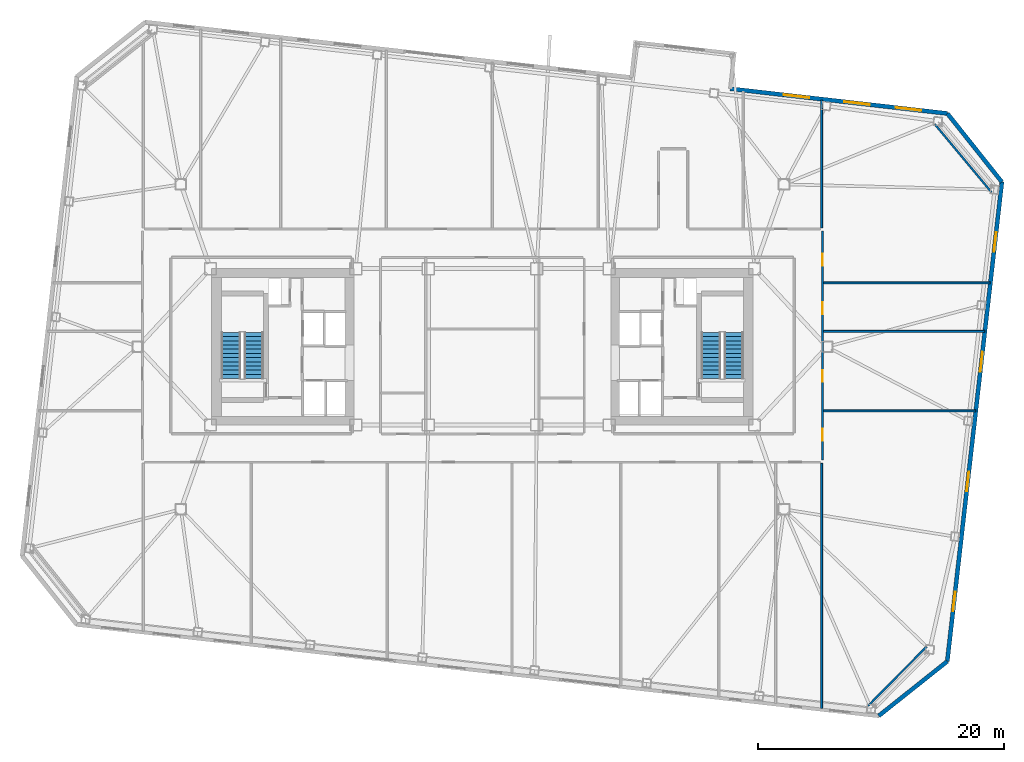
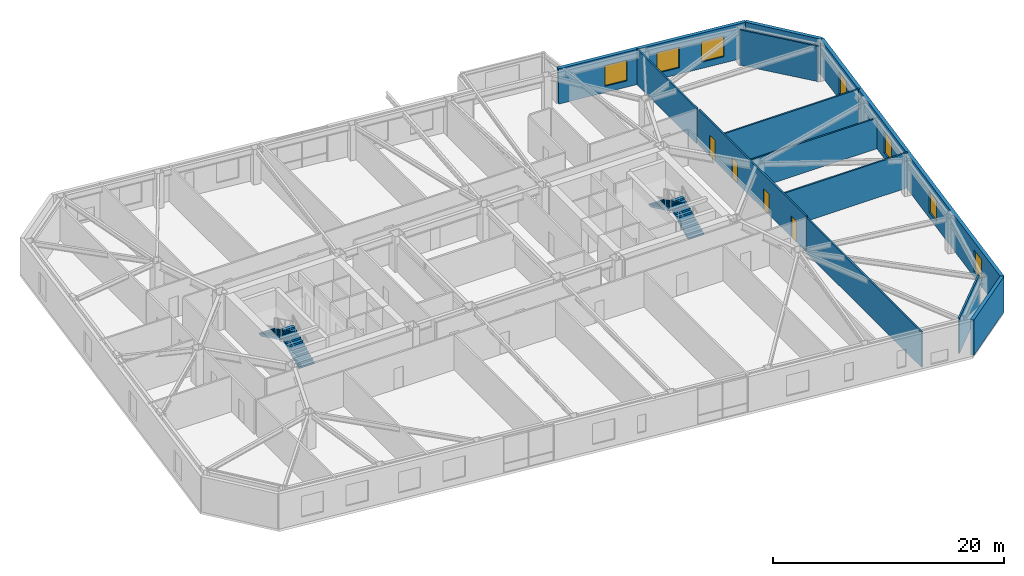
# One storey, part 16 of 21: 12 walls, 7 windows, 4 doors, 4 stair flights, 11 openings, 2 elements without a shape of their own.
"""IFC4 building model written with IfcOpenShell, lengths in metres."""

from ifc_helpers import new_model, si_unit, direction, frame, frame_2d, origin, place, context, subcontext, project, spatial, polyline, rectangle, outline, extrude, material, layer, layer_set, type_object, element, fill, aggregate, save


model = new_model("IFC4")

# Units and contexts
model_context = context("Model", 3, precision=1e-05, world=origin(), true_north=direction((0.0, 1.0)))
body_context = subcontext(model_context, "Body", "Model", "MODEL_VIEW")
ifc_project = project(units=[si_unit("LENGTHUNIT", "METRE"), si_unit("AREAUNIT", "SQUARE_METRE"), si_unit("VOLUMEUNIT", "CUBIC_METRE"), si_unit("PLANEANGLEUNIT", "RADIAN"), si_unit("MASSUNIT", "GRAM", prefix="KILO")], contexts=[model_context])

# Site, building, storey
site_placement = place(None, origin())
site = spatial("IfcSite", under=ifc_project, at=site_placement, CompositionType="ELEMENT")
building_placement = place(site_placement, origin())
building = spatial("IfcBuilding", under=site, at=building_placement, Name="Tavrogorsk Clinical Tower", CompositionType="ELEMENT")
storey_placement = place(building_placement, frame((0.0, 0.0, 121.39990234375)))
storey = spatial("IfcBuildingStorey", under=building, at=storey_placement, Name="L27", CompositionType="ELEMENT", Elevation=121.39990234375)

# Walls
ifc_material_1 = material(Name="Lightweight concrete blockwork B15", Category="masonry")
ifc_layer_1 = layer(ifc_material_1, 0.159912109375)
ifc_layer_set_1 = layer_set([ifc_layer_1], Name="Lightweight concrete blockwork B15")
wall_type_1 = type_object("IfcWallType", Name="PartitionWall_160", PredefinedType="PARTITIONING", material=ifc_layer_set_1)
wall_1_placement = place(storey_placement, frame((31.34130859375, -29.162109375, 0.0), z_axis=(0.0, 0.0, 1.0), x_axis=(0.702905898933, 0.711282853192, 0.0)))
element("IfcWall", 1, at=wall_1_placement, inside=storey, type_object=wall_type_1, Name="L27 Corner Exoskeleton Brace Furring Wall 1", PredefinedType="PARTITIONING", context=body_context, shape_type="SweptSolid", body=[
    extrude(rectangle(XDim=6.761474609375, YDim=0.159912109375, at=frame_2d((3.380859375, 0.0))), origin(), (0.0, 0.0, 1.0), 3.739990234375),
])
wall_2_placement = place(storey_placement, frame((41.36083984375, 12.555908203125, 0.0), z_axis=(0.0, 0.0, 1.0), x_axis=(-0.640217638562, 0.768193579298, 0.0)))
element("IfcWall", 2, at=wall_2_placement, inside=storey, type_object=wall_type_1, Name="L27 Corner Exoskeleton Brace Furring Wall 2", PredefinedType="PARTITIONING", context=body_context, shape_type="SweptSolid", body=[
    extrude(rectangle(XDim=7.224365234375, YDim=0.159912109375, at=frame_2d((3.6123046875, 0.0))), origin(), (0.0, 0.0, 1.0), 3.739990234375),
])

# Wall, openings, doors
wall_3_placement = place(storey_placement, frame((27.6298828125, 9.4150390625, 0.0), z_axis=(0.0, 0.0, 1.0), x_axis=(0.0, -1.0, 0.0)))
wall_3 = element("IfcWall", 3, at=wall_3_placement, inside=storey, type_object=wall_type_1, Name="L27 Corridor Partition 07", PredefinedType="PARTITIONING", context=body_context, shape_type="SweptSolid", body=[
    extrude(rectangle(XDim=18.630126953125, YDim=0.159912109375, at=frame_2d((9.31494140625, 0.0))), origin(), (0.0, 0.0, 1.0), 3.739990234375),
])
opening_1_placement = place(wall_3_placement, frame((16.080810546875, 0.0, 0.0)))
opening_1 = element("IfcOpeningElement", 4, at=opening_1_placement, cuts=wall_3, Name="Opening ID-02", PredefinedType="OPENING", context=body_context, shape_type="SweptSolid", body=[
    extrude(rectangle(XDim=0.949951171875, YDim=2.199951171875, at=frame_2d((0.47509765625, 1.10009765625))), frame((0.0, 0.08984375, 0.0), z_axis=(0.0, -1.0, 0.0), x_axis=(1.0, 0.0, 0.0)), (0.0, 0.0, 1.0), 0.179931640625),
])
opening_2_placement = place(wall_3_placement, frame((11.300048828125, 0.0, 0.0)))
opening_2 = element("IfcOpeningElement", 5, at=opening_2_placement, cuts=wall_3, Name="Opening ID-02", PredefinedType="OPENING", context=body_context, shape_type="SweptSolid", body=[
    extrude(rectangle(XDim=0.949951171875, YDim=2.199951171875, at=frame_2d((0.47509765625, 1.10009765625))), frame((0.0, 0.08984375, 0.0), z_axis=(0.0, -1.0, 0.0), x_axis=(1.0, 0.0, 0.0)), (0.0, 0.0, 1.0), 0.179931640625),
])
opening_3_placement = place(wall_3_placement, frame((5.800048828125, 0.0, 0.0)))
opening_3 = element("IfcOpeningElement", 6, at=opening_3_placement, cuts=wall_3, Name="Opening ID-02", PredefinedType="OPENING", context=body_context, shape_type="SweptSolid", body=[
    extrude(rectangle(XDim=0.949951171875, YDim=2.199951171875, at=frame_2d((0.47509765625, 1.10009765625))), frame((0.0, 0.08984375, 0.0), z_axis=(0.0, -1.0, 0.0), x_axis=(1.0, 0.0, 0.0)), (0.0, 0.0, 1.0), 0.179931640625),
])
opening_4_placement = place(wall_3_placement, frame((1.869140625, 0.0, 0.0)))
opening_4 = element("IfcOpeningElement", 7, at=opening_4_placement, cuts=wall_3, Name="Opening ID-02", PredefinedType="OPENING", context=body_context, shape_type="SweptSolid", body=[
    extrude(rectangle(XDim=0.949951171875, YDim=2.199951171875, at=frame_2d((0.47509765625, 1.10009765625))), frame((0.0, 0.08984375, 0.0), z_axis=(0.0, -1.0, 0.0), x_axis=(1.0, 0.0, 0.0)), (0.0, 0.0, 1.0), 0.179931640625),
])
ifc_material_2 = material(Name="Laminated timber leaf on aluminium frame", Category="wood")
door_type = type_object("IfcDoorType", Name="InteriorDoor_ID02_950", OperationType="NOTDEFINED", PredefinedType="DOOR", material=ifc_material_2)
door_1_placement = place(opening_1_placement, origin())
door_1 = element("IfcDoor", 8, at=door_1_placement, inside=storey, type_object=door_type, Name="L27 E Senior Clinician Suite 1 Door", OperationType="SINGLE_SWING_LEFT", OverallHeight=2.199951171875, OverallWidth=0.949951171875, PredefinedType="DOOR", context=body_context, shape_type="SweptSolid", body=[
    extrude(rectangle(XDim=0.949951171875, YDim=2.199951171875, at=frame_2d((0.47509765625, 1.10009765625))), frame((0.0, 0.02490234375, 0.0), z_axis=(0.0, -1.0, 0.0), x_axis=(1.0, 0.0, 0.0)), (0.0, 0.0, 1.0), 0.050048828125),
])
fill(opening_1, door_1)
door_2_placement = place(opening_2_placement, origin())
door_2 = element("IfcDoor", 9, at=door_2_placement, inside=storey, type_object=door_type, Name="L27 E Multidisciplinary Seminar Suite 2 Door", OperationType="SINGLE_SWING_RIGHT", OverallHeight=2.199951171875, OverallWidth=0.949951171875, PredefinedType="DOOR", context=body_context, shape_type="SweptSolid", body=[
    extrude(rectangle(XDim=0.949951171875, YDim=2.199951171875, at=frame_2d((0.47509765625, 1.10009765625))), frame((0.0, 0.02490234375, 0.0), z_axis=(0.0, -1.0, 0.0), x_axis=(1.0, 0.0, 0.0)), (0.0, 0.0, 1.0), 0.050048828125),
])
fill(opening_2, door_2)
door_3_placement = place(opening_3_placement, origin())
door_3 = element("IfcDoor", 10, at=door_3_placement, inside=storey, type_object=door_type, Name="L27 E Specialist Consultation Room 3 Door", OperationType="SINGLE_SWING_LEFT", OverallHeight=2.199951171875, OverallWidth=0.949951171875, PredefinedType="DOOR", context=body_context, shape_type="SweptSolid", body=[
    extrude(rectangle(XDim=0.949951171875, YDim=2.199951171875, at=frame_2d((0.47509765625, 1.10009765625))), frame((0.0, 0.02490234375, 0.0), z_axis=(0.0, -1.0, 0.0), x_axis=(1.0, 0.0, 0.0)), (0.0, 0.0, 1.0), 0.050048828125),
])
fill(opening_3, door_3)
door_4_placement = place(opening_4_placement, origin())
door_4 = element("IfcDoor", 11, at=door_4_placement, inside=storey, type_object=door_type, Name="L27 E Clinical Fellows' Study 4 Door", OperationType="SINGLE_SWING_RIGHT", OverallHeight=2.199951171875, OverallWidth=0.949951171875, PredefinedType="DOOR", context=body_context, shape_type="SweptSolid", body=[
    extrude(rectangle(XDim=0.949951171875, YDim=2.199951171875, at=frame_2d((0.47509765625, 1.10009765625))), frame((0.0, 0.02490234375, 0.0), z_axis=(0.0, -1.0, 0.0), x_axis=(1.0, 0.0, 0.0)), (0.0, 0.0, 1.0), 0.050048828125),
])
fill(opening_4, door_4)

# Walls
wall_4_placement = place(storey_placement, frame((27.550048828125, 9.6650390625, 0.0), z_axis=(0.0, 0.0, 1.0), x_axis=(0.0, 1.0, 0.0)))
element("IfcWall", 12, at=wall_4_placement, inside=storey, type_object=wall_type_1, Name="L27 NE Wing Closure Partition", PredefinedType="PARTITIONING", context=body_context, shape_type="SweptSolid", body=[
    extrude(rectangle(XDim=10.388427734375, YDim=0.159912109375, at=frame_2d((5.1943359375, 0.0))), origin(), (0.0, 0.0, 1.0), 3.739990234375),
])
wall_5_placement = place(storey_placement, frame((27.550048828125, -29.384521484375, 0.0), z_axis=(0.0, 0.0, 1.0), x_axis=(0.0, 1.0, 0.0)))
element("IfcWall", 13, at=wall_5_placement, inside=storey, type_object=wall_type_1, Name="L27 SE Wing Closure Partition", PredefinedType="PARTITIONING", context=body_context, shape_type="SweptSolid", body=[
    extrude(rectangle(XDim=19.91943359375, YDim=0.159912109375, at=frame_2d((9.959716796875, 0.0))), origin(), (0.0, 0.0, 1.0), 3.739990234375),
])
wall_6_placement = place(storey_placement, frame((27.715087890625, -5.199951171875, 0.0), z_axis=(0.0, 0.0, 1.0), x_axis=(1.0, 0.0, 0.0)))
element("IfcWall", 14, at=wall_6_placement, inside=storey, type_object=wall_type_1, Name="L27 E Wing Divider 1", PredefinedType="PARTITIONING", context=body_context, shape_type="SweptSolid", body=[
    extrude(rectangle(XDim=12.35205078125, YDim=0.159912109375, at=frame_2d((6.176025390625, 0.0))), origin(), (0.0, 0.0, 1.0), 3.739990234375),
])
wall_7_placement = place(storey_placement, frame((27.715087890625, 1.25, 0.0), z_axis=(0.0, 0.0, 1.0), x_axis=(1.0, 0.0, 0.0)))
element("IfcWall", 15, at=wall_7_placement, inside=storey, type_object=wall_type_1, Name="L27 E Wing Divider 2", PredefinedType="PARTITIONING", context=body_context, shape_type="SweptSolid", body=[
    extrude(rectangle(XDim=13.0869140625, YDim=0.159912109375, at=frame_2d((6.54345703125, 0.0))), origin(), (0.0, 0.0, 1.0), 3.235107421875),
])
wall_8_placement = place(storey_placement, frame((27.715087890625, 5.199951171875, 0.0), z_axis=(0.0, 0.0, 1.0), x_axis=(1.0, 0.0, 0.0)))
element("IfcWall", 16, at=wall_8_placement, inside=storey, type_object=wall_type_1, Name="L27 E Wing Divider 3", PredefinedType="PARTITIONING", context=body_context, shape_type="SweptSolid", body=[
    extrude(rectangle(XDim=13.537109375, YDim=0.159912109375, at=frame_2d((6.7685546875, 0.0))), origin(), (0.0, 0.0, 1.0), 3.739990234375),
])

# Wall, openings, windows
ifc_material_3 = material(Name="Precast concrete B45 with limestone cladding", Category="masonry")
ifc_layer_2 = layer(ifc_material_3, 0.340087890625)
ifc_layer_set_2 = layer_set([ifc_layer_2], Name="Precast concrete B45 with limestone cladding")
wall_type_2 = type_object("IfcWallType", Name="PrecastLimestoneWall_340", PredefinedType="STANDARD", material=ifc_layer_set_2)
wall_9_placement = place(storey_placement, frame((37.77734375, 18.95849609375, 0.0), z_axis=(0.0, 0.0, 1.0), x_axis=(-0.993570699365, 0.113213362125, 0.0)))
wall_9 = element("IfcWall", 17, at=wall_9_placement, inside=storey, type_object=wall_type_2, Name="L27 N Limestone Facade Wall 1", PredefinedType="STANDARD", context=body_context, shape_type="SweptSolid", body=[
    extrude(rectangle(XDim=17.749755859375, YDim=0.340087890625, at=frame_2d((8.875, 0.0))), origin(), (0.0, 0.0, 1.0), 3.739990234375),
])
opening_5_placement = place(wall_9_placement, frame((11.284912109375, 0.0, 0.669921875)))
opening_5 = element("IfcOpeningElement", 18, at=opening_5_placement, cuts=wall_9, Name="Opening WN-03", PredefinedType="OPENING", context=body_context, shape_type="SweptSolid", body=[
    extrude(rectangle(XDim=2.10009765625, YDim=2.199951171875, at=frame_2d((1.050048828125, 1.10009765625))), frame((0.0, 0.179931640625, 0.0), z_axis=(0.0, -1.0, 0.0), x_axis=(1.0, 0.0, 0.0)), (0.0, 0.0, 1.0), 0.360107421875),
])
opening_6_placement = place(wall_9_placement, frame((6.335693359375, 0.0, 0.669921875)))
opening_6 = element("IfcOpeningElement", 19, at=opening_6_placement, cuts=wall_9, Name="Opening WN-03", PredefinedType="OPENING", context=body_context, shape_type="SweptSolid", body=[
    extrude(rectangle(XDim=2.10009765625, YDim=2.199951171875, at=frame_2d((1.050048828125, 1.10009765625))), frame((0.0, 0.179931640625, 0.0), z_axis=(0.0, -1.0, 0.0), x_axis=(1.0, 0.0, 0.0)), (0.0, 0.0, 1.0), 0.360107421875),
])
opening_7_placement = place(wall_9_placement, frame((2.125244140625, 0.0, 0.669921875)))
opening_7 = element("IfcOpeningElement", 20, at=opening_7_placement, cuts=wall_9, Name="Opening WN-03", PredefinedType="OPENING", context=body_context, shape_type="SweptSolid", body=[
    extrude(rectangle(XDim=2.10009765625, YDim=2.199951171875, at=frame_2d((1.050048828125, 1.10009765625))), frame((0.0, 0.179931640625, 0.0), z_axis=(0.0, -1.0, 0.0), x_axis=(1.0, 0.0, 0.0)), (0.0, 0.0, 1.0), 0.360107421875),
])
ifc_material_4 = material(Name="Thermally broken aluminium frame and triple IGU", Category="aluminium")
window_type_1 = type_object("IfcWindowType", Name="PatientTwinWin_2100x2200", PartitioningType="DOUBLE_PANEL_VERTICAL", PredefinedType="WINDOW", material=ifc_material_4)
window_1_placement = place(opening_5_placement, origin())
window_1 = element("IfcWindow", 21, at=window_1_placement, inside=storey, type_object=window_type_1, Name="L27 N Chicago Window 08", OverallHeight=2.199951171875, OverallWidth=2.10009765625, PartitioningType="SINGLE_PANEL", PredefinedType="WINDOW", context=body_context, shape_type="SweptSolid", body=[
    extrude(rectangle(XDim=2.10009765625, YDim=2.199951171875, at=frame_2d((1.050048828125, 1.10009765625))), frame((0.0, 0.030029296875, 0.0), z_axis=(0.0, -1.0, 0.0), x_axis=(1.0, 0.0, 0.0)), (0.0, 0.0, 1.0), 0.06005859375),
])
fill(opening_5, window_1)
window_2_placement = place(opening_6_placement, origin())
window_2 = element("IfcWindow", 22, at=window_2_placement, inside=storey, type_object=window_type_1, Name="L27 N Chicago Window 09", OverallHeight=2.199951171875, OverallWidth=2.10009765625, PartitioningType="SINGLE_PANEL", PredefinedType="WINDOW", context=body_context, shape_type="SweptSolid", body=[
    extrude(rectangle(XDim=2.10009765625, YDim=2.199951171875, at=frame_2d((1.050048828125, 1.10009765625))), frame((0.0, 0.030029296875, 0.0), z_axis=(0.0, -1.0, 0.0), x_axis=(1.0, 0.0, 0.0)), (0.0, 0.0, 1.0), 0.06005859375),
])
fill(opening_6, window_2)
window_3_placement = place(opening_7_placement, origin())
window_3 = element("IfcWindow", 23, at=window_3_placement, inside=storey, type_object=window_type_1, Name="L27 N Chicago Window 10", OverallHeight=2.199951171875, OverallWidth=2.10009765625, PartitioningType="SINGLE_PANEL", PredefinedType="WINDOW", context=body_context, shape_type="SweptSolid", body=[
    extrude(rectangle(XDim=2.10009765625, YDim=2.199951171875, at=frame_2d((1.050048828125, 1.10009765625))), frame((0.0, 0.030029296875, 0.0), z_axis=(0.0, -1.0, 0.0), x_axis=(1.0, 0.0, 0.0)), (0.0, 0.0, 1.0), 0.06005859375),
])
fill(opening_7, window_3)

wall_10_placement = place(storey_placement, frame((37.76806640625, -25.556396484375, 0.0), z_axis=(0.0, 0.0, 1.0), x_axis=(0.113201605824, 0.993572038877, 0.0)))
wall_10 = element("IfcWall", 24, at=wall_10_placement, inside=storey, type_object=wall_type_2, Name="L27 E Pleated Limestone Wing Wall", PredefinedType="STANDARD", context=body_context, shape_type="SweptSolid", body=[
    extrude(rectangle(XDim=39.199951171875, YDim=0.340087890625, at=frame_2d((19.60009765625, 0.0))), origin(), (0.0, 0.0, 1.0), 3.739990234375),
])
opening_8_placement = place(wall_10_placement, frame((4.10009765625, 0.0, 0.580078125)))
opening_8 = element("IfcOpeningElement", 25, at=opening_8_placement, cuts=wall_10, Name="Opening WN-07", PredefinedType="OPENING", context=body_context, shape_type="SweptSolid", body=[
    extrude(rectangle(XDim=1.60009765625, YDim=2.300048828125, at=frame_2d((0.800048828125, 1.14990234375))), frame((0.0, 0.179931640625, 0.0), z_axis=(0.0, -1.0, 0.0), x_axis=(1.0, 0.0, 0.0)), (0.0, 0.0, 1.0), 0.360107421875),
])
opening_9_placement = place(wall_10_placement, frame((13.89990234375, 0.0, 0.580078125)))
opening_9 = element("IfcOpeningElement", 26, at=opening_9_placement, cuts=wall_10, Name="Opening WN-07", PredefinedType="OPENING", context=body_context, shape_type="SweptSolid", body=[
    extrude(rectangle(XDim=1.60009765625, YDim=2.300048828125, at=frame_2d((0.800048828125, 1.14990234375))), frame((0.0, 0.179931640625, 0.0), z_axis=(0.0, -1.0, 0.0), x_axis=(1.0, 0.0, 0.0)), (0.0, 0.0, 1.0), 0.360107421875),
])
opening_10_placement = place(wall_10_placement, frame((23.699951171875, 0.0, 0.580078125)))
opening_10 = element("IfcOpeningElement", 27, at=opening_10_placement, cuts=wall_10, Name="Opening WN-07", PredefinedType="OPENING", context=body_context, shape_type="SweptSolid", body=[
    extrude(rectangle(XDim=1.60009765625, YDim=2.300048828125, at=frame_2d((0.800048828125, 1.14990234375))), frame((0.0, 0.179931640625, 0.0), z_axis=(0.0, -1.0, 0.0), x_axis=(1.0, 0.0, 0.0)), (0.0, 0.0, 1.0), 0.360107421875),
])
opening_11_placement = place(wall_10_placement, frame((33.5, 0.0, 0.580078125)))
opening_11 = element("IfcOpeningElement", 28, at=opening_11_placement, cuts=wall_10, Name="Opening WN-07", PredefinedType="OPENING", context=body_context, shape_type="SweptSolid", body=[
    extrude(rectangle(XDim=1.60009765625, YDim=2.300048828125, at=frame_2d((0.800048828125, 1.14990234375))), frame((0.0, 0.179931640625, 0.0), z_axis=(0.0, -1.0, 0.0), x_axis=(1.0, 0.0, 0.0)), (0.0, 0.0, 1.0), 0.360107421875),
])
ifc_material_5 = material(Name="Thermally broken aluminium frame and triple IGU", Category="aluminium")
window_type_2 = type_object("IfcWindowType", Name="PleatSlotWin_1600x2300", PartitioningType="SINGLE_PANEL", PredefinedType="WINDOW", material=ifc_material_5)
window_4_placement = place(opening_8_placement, origin())
window_4 = element("IfcWindow", 29, at=window_4_placement, inside=storey, type_object=window_type_2, Name="L27 E Pleat Slot Window 1", OverallHeight=2.300048828125, OverallWidth=1.60009765625, PartitioningType="SINGLE_PANEL", PredefinedType="WINDOW", context=body_context, shape_type="SweptSolid", body=[
    extrude(rectangle(XDim=1.60009765625, YDim=2.300048828125, at=frame_2d((0.800048828125, 1.14990234375))), frame((0.0, 0.030029296875, 0.0), z_axis=(0.0, -1.0, 0.0), x_axis=(1.0, 0.0, 0.0)), (0.0, 0.0, 1.0), 0.06005859375),
])
fill(opening_8, window_4)
window_5_placement = place(opening_9_placement, origin())
window_5 = element("IfcWindow", 30, at=window_5_placement, inside=storey, type_object=window_type_2, Name="L27 E Pleat Slot Window 2", OverallHeight=2.300048828125, OverallWidth=1.60009765625, PartitioningType="SINGLE_PANEL", PredefinedType="WINDOW", context=body_context, shape_type="SweptSolid", body=[
    extrude(rectangle(XDim=1.60009765625, YDim=2.300048828125, at=frame_2d((0.800048828125, 1.14990234375))), frame((0.0, 0.030029296875, 0.0), z_axis=(0.0, -1.0, 0.0), x_axis=(1.0, 0.0, 0.0)), (0.0, 0.0, 1.0), 0.06005859375),
])
fill(opening_9, window_5)
window_6_placement = place(opening_10_placement, origin())
window_6 = element("IfcWindow", 31, at=window_6_placement, inside=storey, type_object=window_type_2, Name="L27 E Pleat Slot Window 3", OverallHeight=2.300048828125, OverallWidth=1.60009765625, PartitioningType="SINGLE_PANEL", PredefinedType="WINDOW", context=body_context, shape_type="SweptSolid", body=[
    extrude(rectangle(XDim=1.60009765625, YDim=2.300048828125, at=frame_2d((0.800048828125, 1.14990234375))), frame((0.0, 0.030029296875, 0.0), z_axis=(0.0, -1.0, 0.0), x_axis=(1.0, 0.0, 0.0)), (0.0, 0.0, 1.0), 0.06005859375),
])
fill(opening_10, window_6)
window_7_placement = place(opening_11_placement, origin())
window_7 = element("IfcWindow", 32, at=window_7_placement, inside=storey, type_object=window_type_2, Name="L27 E Pleat Slot Window 4", OverallHeight=2.300048828125, OverallWidth=1.60009765625, PartitioningType="SINGLE_PANEL", PredefinedType="WINDOW", context=body_context, shape_type="SweptSolid", body=[
    extrude(rectangle(XDim=1.60009765625, YDim=2.300048828125, at=frame_2d((0.800048828125, 1.14990234375))), frame((0.0, 0.030029296875, 0.0), z_axis=(0.0, -1.0, 0.0), x_axis=(1.0, 0.0, 0.0)), (0.0, 0.0, 1.0), 0.06005859375),
])
fill(opening_11, window_7)

# Walls
wall_11_placement = place(storey_placement, frame((32.200927734375, -29.984619140625, 0.0), z_axis=(0.0, 0.0, 1.0), x_axis=(0.78261359446, 0.622507800567, 0.0)))
element("IfcWall", 33, at=wall_11_placement, inside=storey, type_object=wall_type_2, Name="L27 Chamfered Corner Wall 1", PredefinedType="STANDARD", context=body_context, shape_type="SweptSolid", body=[
    extrude(rectangle(XDim=7.113525390625, YDim=0.340087890625, at=frame_2d((3.556640625, 0.0))), origin(), (0.0, 0.0, 1.0), 3.739990234375),
])
wall_12_placement = place(storey_placement, frame((42.20556640625, 13.3916015625, 0.0), z_axis=(0.0, 0.0, 1.0), x_axis=(-0.622524521309, 0.782600294128, 0.0)))
element("IfcWall", 34, at=wall_12_placement, inside=storey, type_object=wall_type_2, Name="L27 Chamfered Corner Wall 2", PredefinedType="STANDARD", context=body_context, shape_type="SweptSolid", body=[
    extrude(rectangle(XDim=7.11328125, YDim=0.340087890625, at=frame_2d((3.556640625, 0.0))), origin(), (0.0, 0.0, 1.0), 3.739990234375),
])

# Stair, stair flights
ifc_material_6 = material(Name="Concrete B60", Category="concrete")
stair_type = type_object("IfcStairType", Name="CoreStairAssembly", PredefinedType="HALF_TURN_STAIR", material=ifc_material_6)
stair_1_placement = place(storey_placement, origin())
stair_1 = element("IfcStair", 35, at=stair_1_placement, inside=storey, type_object=stair_type, Name="L27 ST-W", PredefinedType="HALF_TURN_STAIR")
ifc_material_7 = material(Name="Concrete B60", Category="concrete")
stair_flight_type = type_object("IfcStairFlightType", Name="CoreStairFlight", PredefinedType="STRAIGHT", material=ifc_material_7)
stair_flight_1_placement = place(storey_placement, frame((-18.574951171875, -2.574951171875, 0.0), z_axis=(0.0, 0.0, 1.0), x_axis=(0.0, 1.0, 0.0)))
stair_flight_1 = element("IfcStairFlight", 36, at=stair_flight_1_placement, type_object=stair_flight_type, Name="ST-W flight 1", NumberOfRisers=12, NumberOfTreads=11, PredefinedType="STRAIGHT", RiserHeight=0.166666667, TreadLength=0.34, context=body_context, shape_type="SweptSolid", body=[
    extrude(outline(polyline([(0.0, 0.0), (0.0, 0.166748046875), (0.340087890625, 0.166748046875), (0.340087890625, 0.333251953125), (0.679931640625, 0.333251953125), (0.679931640625, 0.5), (1.02001953125, 0.5), (1.02001953125, 0.666748046875), (1.360107421875, 0.666748046875), (1.360107421875, 0.833251953125), (1.699951171875, 0.833251953125), (1.699951171875, 1.0), (2.0400390625, 1.0), (2.0400390625, 1.166748046875), (2.3798828125, 1.166748046875), (2.3798828125, 1.333251953125), (2.719970703125, 1.333251953125), (2.719970703125, 1.5), (3.06005859375, 1.5), (3.06005859375, 1.666748046875), (3.39990234375, 1.666748046875), (3.39990234375, 1.833251953125), (3.739990234375, 1.833251953125), (3.739990234375, 2.0), (3.739990234375, 1.66650390625), (0.340576171875, 0.0), (0.0, 0.0)])), frame((0.0, 0.77490234375, 0.0), z_axis=(0.0, -1.0, 0.0), x_axis=(1.0, 0.0, 0.0)), (0.0, 0.0, 1.0), 1.550048828125),
])
stair_flight_2_placement = place(storey_placement, frame((-20.425048828125, 1.1650390625, 2.0), z_axis=(0.0, 0.0, 1.0), x_axis=(0.0, -1.0, 0.0)))
stair_flight_2 = element("IfcStairFlight", 37, at=stair_flight_2_placement, type_object=stair_flight_type, Name="ST-W flight 2", NumberOfRisers=12, NumberOfTreads=11, PredefinedType="STRAIGHT", RiserHeight=0.166666667, TreadLength=0.34, context=body_context, shape_type="SweptSolid", body=[
    extrude(outline(polyline([(0.0, 0.0), (0.0, 0.166748046875), (0.340087890625, 0.166748046875), (0.340087890625, 0.333251953125), (0.679931640625, 0.333251953125), (0.679931640625, 0.5), (1.02001953125, 0.5), (1.02001953125, 0.666748046875), (1.360107421875, 0.666748046875), (1.360107421875, 0.833251953125), (1.699951171875, 0.833251953125), (1.699951171875, 1.0), (2.0400390625, 1.0), (2.0400390625, 1.166748046875), (2.3798828125, 1.166748046875), (2.3798828125, 1.333251953125), (2.719970703125, 1.333251953125), (2.719970703125, 1.5), (3.06005859375, 1.5), (3.06005859375, 1.666748046875), (3.39990234375, 1.666748046875), (3.39990234375, 1.833251953125), (3.739990234375, 1.833251953125), (3.739990234375, 2.0), (3.739990234375, 1.66650390625), (0.340576171875, 0.0), (0.0, 0.0)])), frame((0.0, 0.77490234375, 0.0), z_axis=(0.0, -1.0, 0.0), x_axis=(1.0, 0.0, 0.0)), (0.0, 0.0, 1.0), 1.550048828125),
])
aggregate(stair_1, [stair_flight_1, stair_flight_2])

stair_2_placement = place(storey_placement, origin())
stair_2 = element("IfcStair", 38, at=stair_2_placement, inside=storey, type_object=stair_type, Name="L27 ST-E", PredefinedType="HALF_TURN_STAIR")
stair_flight_3_placement = place(storey_placement, frame((20.425048828125, -2.574951171875, 0.0), z_axis=(0.0, 0.0, 1.0), x_axis=(0.0, 1.0, 0.0)))
stair_flight_3 = element("IfcStairFlight", 39, at=stair_flight_3_placement, type_object=stair_flight_type, Name="ST-E flight 1", NumberOfRisers=12, NumberOfTreads=11, PredefinedType="STRAIGHT", RiserHeight=0.166666667, TreadLength=0.34, context=body_context, shape_type="SweptSolid", body=[
    extrude(outline(polyline([(0.0, 0.0), (0.0, 0.166748046875), (0.340087890625, 0.166748046875), (0.340087890625, 0.333251953125), (0.679931640625, 0.333251953125), (0.679931640625, 0.5), (1.02001953125, 0.5), (1.02001953125, 0.666748046875), (1.360107421875, 0.666748046875), (1.360107421875, 0.833251953125), (1.699951171875, 0.833251953125), (1.699951171875, 1.0), (2.0400390625, 1.0), (2.0400390625, 1.166748046875), (2.3798828125, 1.166748046875), (2.3798828125, 1.333251953125), (2.719970703125, 1.333251953125), (2.719970703125, 1.5), (3.06005859375, 1.5), (3.06005859375, 1.666748046875), (3.39990234375, 1.666748046875), (3.39990234375, 1.833251953125), (3.739990234375, 1.833251953125), (3.739990234375, 2.0), (3.739990234375, 1.66650390625), (0.340576171875, 0.0), (0.0, 0.0)])), frame((0.0, 0.77490234375, 0.0), z_axis=(0.0, -1.0, 0.0), x_axis=(1.0, 0.0, 0.0)), (0.0, 0.0, 1.0), 1.550048828125),
])
stair_flight_4_placement = place(storey_placement, frame((18.574951171875, 1.1650390625, 2.0), z_axis=(0.0, 0.0, 1.0), x_axis=(0.0, -1.0, 0.0)))
stair_flight_4 = element("IfcStairFlight", 40, at=stair_flight_4_placement, type_object=stair_flight_type, Name="ST-E flight 2", NumberOfRisers=12, NumberOfTreads=11, PredefinedType="STRAIGHT", RiserHeight=0.166666667, TreadLength=0.34, context=body_context, shape_type="SweptSolid", body=[
    extrude(outline(polyline([(0.0, 0.0), (0.0, 0.166748046875), (0.340087890625, 0.166748046875), (0.340087890625, 0.333251953125), (0.679931640625, 0.333251953125), (0.679931640625, 0.5), (1.02001953125, 0.5), (1.02001953125, 0.666748046875), (1.360107421875, 0.666748046875), (1.360107421875, 0.833251953125), (1.699951171875, 0.833251953125), (1.699951171875, 1.0), (2.0400390625, 1.0), (2.0400390625, 1.166748046875), (2.3798828125, 1.166748046875), (2.3798828125, 1.333251953125), (2.719970703125, 1.333251953125), (2.719970703125, 1.5), (3.06005859375, 1.5), (3.06005859375, 1.666748046875), (3.39990234375, 1.666748046875), (3.39990234375, 1.833251953125), (3.739990234375, 1.833251953125), (3.739990234375, 2.0), (3.739990234375, 1.66650390625), (0.340576171875, 0.0), (0.0, 0.0)])), frame((0.0, 0.77490234375, 0.0), z_axis=(0.0, -1.0, 0.0), x_axis=(1.0, 0.0, 0.0)), (0.0, 0.0, 1.0), 1.550048828125),
])
aggregate(stair_2, [stair_flight_3, stair_flight_4])

save(model, "model.ifc")
